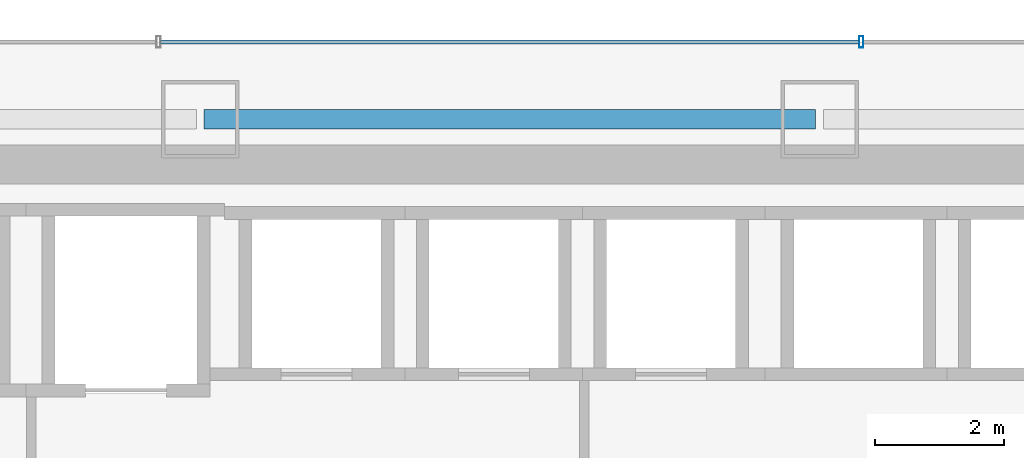
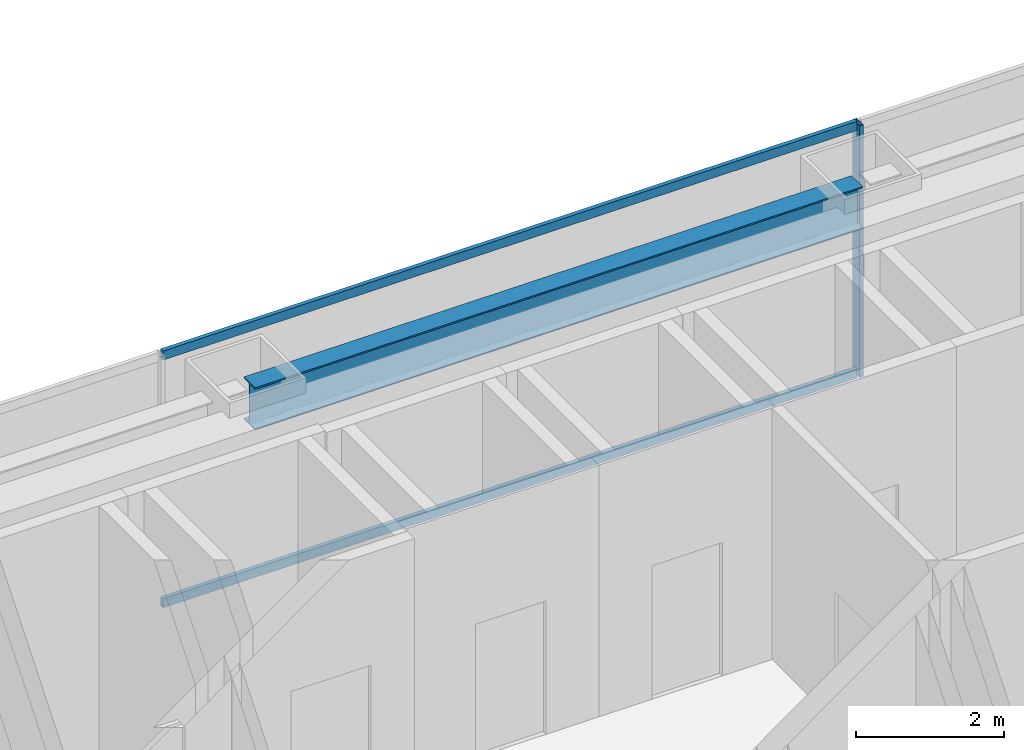
# One storey, part 28 of 49: 3 members, 1 beam, 1 element without a shape of its own.
"""IFC4 building model written with IfcOpenShell, lengths in metres."""

from ifc_helpers import new_model, si_unit, direction, frame, origin, origin_2d, place, context, subcontext, project, spatial, hollow_rectangle, i_section, extrude, material, material_profile, profile_set, type_object, element, aggregate, save


model = new_model("IFC4")

# Units and contexts
model_context = context("Model", 3, precision=1e-05, world=origin(), true_north=direction((0.0, 1.0)))
body_context = subcontext(model_context, "Body", "Model", "MODEL_VIEW")
ifc_project = project(units=[si_unit("LENGTHUNIT", "METRE"), si_unit("AREAUNIT", "SQUARE_METRE"), si_unit("VOLUMEUNIT", "CUBIC_METRE"), si_unit("PLANEANGLEUNIT", "RADIAN"), si_unit("MASSUNIT", "GRAM", prefix="KILO")], contexts=[model_context])

# Site, building, storey
site_placement = place(None, origin())
site = spatial("IfcSite", under=ifc_project, at=site_placement, CompositionType="ELEMENT")
building_placement = place(site_placement, origin())
building = spatial("IfcBuilding", under=site, at=building_placement, Name="Saevonmaru Cultural Tower", CompositionType="ELEMENT")
storey_placement = place(building_placement, frame((0.0, 0.0, 38.39990234375)))
storey = spatial("IfcBuildingStorey", under=building, at=storey_placement, Name="L07", CompositionType="ELEMENT", Elevation=38.39990234375)

# Beam
ifc_material_1 = material(Name="Steel SM355", Category="steel")
ifc_material_profile_1 = material_profile(ifc_material_1, i_section(OverallWidth=0.300048828125, OverallDepth=0.699951171875, WebThickness=0.012939453125, FlangeThickness=0.02392578125, FilletRadius=0.02587890625, at=origin_2d()), Name="H-700x300x13x24")
ifc_profile_set_1 = profile_set([ifc_material_profile_1], Name="Steel SM355")
beam_type = type_object("IfcBeamType", Name="BM-SP-H700", PredefinedType="SPANDREL", material=ifc_profile_set_1)
beam_placement = place(storey_placement, frame((25.260009765625, 54.800048828125, 3.800048828125), z_axis=(1.0, 0.0, 0.0), x_axis=(0.0, 1.0, 0.0)))
element("IfcBeam", 1, at=beam_placement, inside=storey, type_object=beam_type, Name="L07 North Spine Girder 3", PredefinedType="SPANDREL", context=body_context, shape_type="SweptSolid", body=[
    extrude(i_section(OverallWidth=0.300048828125, OverallDepth=0.699951171875, WebThickness=0.012939453125, FlangeThickness=0.02392578125, FilletRadius=0.02587890625, at=origin_2d()), origin(), (0.0, 0.0, 1.0), 9.47998046875),
])

# Curtain wall, members
ifc_material_2 = material(Name="Satin Bronze Anodised Aluminium", Category="aluminium")
curtain_wall_type = type_object("IfcCurtainWallType", Name="CW-TYP-A", PredefinedType="NOTDEFINED", material=ifc_material_2)
curtain_wall_placement = place(storey_placement, origin())
curtain_wall = element("IfcCurtainWall", 2, at=curtain_wall_placement, inside=storey, type_object=curtain_wall_type, Name="L07 North Spine Unitised Curtain Wall E10B", PredefinedType="NOTDEFINED")
ifc_material_profile_2 = material_profile(ifc_material_2, hollow_rectangle(XDim=0.06494140625, YDim=0.179931640625, WallThickness=0.00390625, at=origin_2d()), Name="ALU-MULL-180x65x4")
ifc_profile_set_2 = profile_set([ifc_material_profile_2], Name="Satin Bronze Anodised Aluminium")
member_type_1 = type_object("IfcMemberType", Name="ML-CW-180x65", PredefinedType="MULLION", material=ifc_profile_set_2)
member_1_placement = place(storey_placement, frame((35.44677734375, 56.0, 0.0), z_axis=(0.0, 0.0, 1.0), x_axis=(-1.0, 0.0, 0.0)))
member_1 = element("IfcMember", 3, at=member_1_placement, type_object=member_type_1, Name="CW-TW-L07-E10B mullion 2", PredefinedType="MULLION", context=body_context, shape_type="SweptSolid", body=[
    extrude(hollow_rectangle(XDim=0.06494140625, YDim=0.179931640625, WallThickness=0.00390625, at=origin_2d()), origin(), (0.0, 0.0, 1.0), 4.150146484375),
])
ifc_material_profile_3 = material_profile(ifc_material_2, hollow_rectangle(XDim=0.06494140625, YDim=0.14990234375, WallThickness=0.00390625, at=origin_2d()), Name="ALU-TRAN-150x65x4")
ifc_profile_set_3 = profile_set([ifc_material_profile_3], Name="Satin Bronze Anodised Aluminium")
member_type_2 = type_object("IfcMemberType", Name="TR-CW-150x65", PredefinedType="USERDEFINED", material=ifc_profile_set_3)
member_2_placement = place(storey_placement, frame((35.4140625, 56.0, 0.03271484375), z_axis=(-1.0, 0.0, 0.0), x_axis=(0.0, -1.0, 0.0)))
member_2 = element("IfcMember", 4, at=member_2_placement, type_object=member_type_2, Name="CW-TW-L07-E10B transom 2.1", ObjectType="TRANSOM", PredefinedType="USERDEFINED", context=body_context, shape_type="SweptSolid", body=[
    extrude(hollow_rectangle(XDim=0.06494140625, YDim=0.14990234375, WallThickness=0.00390625, at=origin_2d()), origin(), (0.0, 0.0, 1.0), 10.828125),
])
member_3_placement = place(storey_placement, frame((35.4140625, 56.0, 4.11767578125), z_axis=(-1.0, 0.0, 0.0), x_axis=(0.0, -1.0, 0.0)))
member_3 = element("IfcMember", 5, at=member_3_placement, type_object=member_type_2, Name="CW-TW-L07-E10B transom 2.2", ObjectType="TRANSOM", PredefinedType="USERDEFINED", context=body_context, shape_type="SweptSolid", body=[
    extrude(hollow_rectangle(XDim=0.06494140625, YDim=0.14990234375, WallThickness=0.00390625, at=origin_2d()), origin(), (0.0, 0.0, 1.0), 10.828125),
])
aggregate(curtain_wall, [member_1, member_2, member_3])

save(model, "model.ifc")
